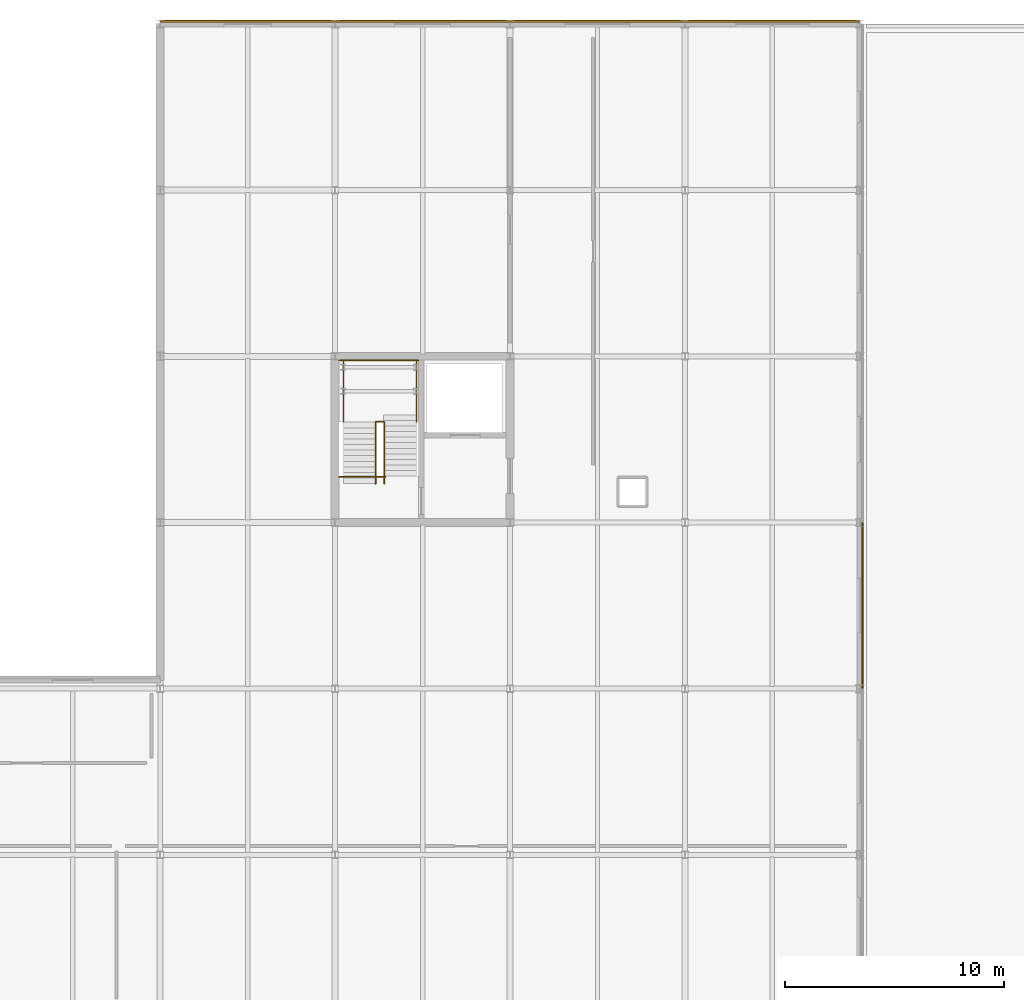
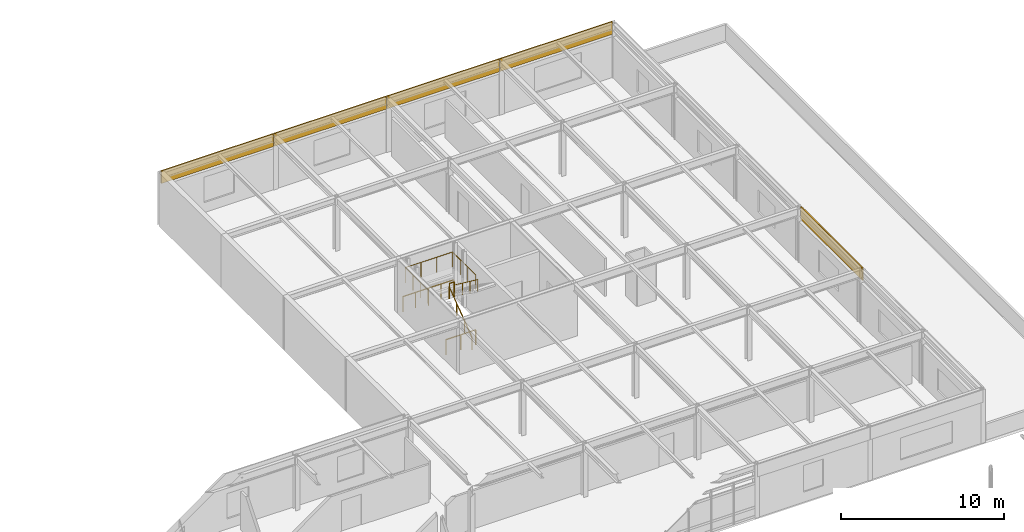
# One storey, part 84 of 85: 6 railings, 5 coverings.
"""IFC4 building model written with IfcOpenShell, lengths in metres."""

from ifc_helpers import new_model, si_unit, direction, frame, origin, origin_2d, place, context, subcontext, project, spatial, rectangle, circle, extrude, material, layer, layer_set, type_object, element, save


model = new_model("IFC4")

# Units and contexts
model_context = context("Model", 3, precision=1e-05, world=origin(), true_north=direction((0.0, 1.0)))
body_context = subcontext(model_context, "Body", "Model", "MODEL_VIEW")
ifc_project = project(units=[si_unit("LENGTHUNIT", "METRE"), si_unit("AREAUNIT", "SQUARE_METRE"), si_unit("VOLUMEUNIT", "CUBIC_METRE"), si_unit("PLANEANGLEUNIT", "RADIAN"), si_unit("MASSUNIT", "GRAM", prefix="KILO")], contexts=[model_context])

# Site, building, storey
site_placement = place(None, origin())
site = spatial("IfcSite", under=ifc_project, at=site_placement, CompositionType="ELEMENT")
building_placement = place(site_placement, origin())
building = spatial("IfcBuilding", under=site, at=building_placement, Name="Zulena Civic Courthouse", CompositionType="ELEMENT")
storey_placement = place(building_placement, frame((0.0, 0.0, 25.199951171875)))
storey = spatial("IfcBuildingStorey", under=building, at=storey_placement, Name="L05", CompositionType="ELEMENT", Elevation=25.199951171875)

# Railings
ifc_material_1 = material(Name="Brushed architectural steel ASTM A36", Category="steel")
railing_type_1 = type_object("IfcRailingType", Name="InteriorGuardrail_1150", PredefinedType="GUARDRAIL", material=ifc_material_1)
railing_1_placement = place(storey_placement, frame((76.199951171875, 75.81005859375, 0.0)))
element("IfcRailing", 1, at=railing_1_placement, inside=storey, type_object=railing_type_1, Name="gr:wellN:K5B:L04", PredefinedType="GUARDRAIL", context=body_context, shape_type="SweptSolid", body=[
    extrude(circle(Radius=0.02392578125, at=origin_2d()), frame((0.00390625, 0.0, 1.1259765625), z_axis=(1.0, 0.0, 0.0), x_axis=(0.0, 1.0, 0.0)), (0.0, 0.0, 1.0), 3.592041015625),
    extrude(circle(Radius=0.02099609375, at=origin_2d()), origin(), (0.0, 0.0, 1.0), 1.097900390625),
    extrude(circle(Radius=0.02099609375, at=origin_2d()), frame((0.89990234375, 0.0, 0.0)), (0.0, 0.0, 1.0), 1.097900390625),
    extrude(circle(Radius=0.02099609375, at=origin_2d()), frame((1.800048828125, 0.0, 0.0)), (0.0, 0.0, 1.0), 1.097900390625),
    extrude(circle(Radius=0.02099609375, at=origin_2d()), frame((2.7001953125, 0.0, 0.0)), (0.0, 0.0, 1.0), 1.097900390625),
    extrude(circle(Radius=0.02099609375, at=origin_2d()), frame((3.60009765625, 0.0, 0.0)), (0.0, 0.0, 1.0), 1.097900390625),
])
railing_2_placement = place(storey_placement, frame((76.179931640625, 70.5, 0.0)))
element("IfcRailing", 2, at=railing_2_placement, inside=storey, type_object=railing_type_1, Name="gr:wells:K5B:L05", PredefinedType="GUARDRAIL", context=body_context, shape_type="SweptSolid", body=[
    extrude(circle(Radius=0.02392578125, at=origin_2d()), frame((0.00390625, 0.0, 1.1259765625), z_axis=(1.0, 0.0, 0.0), x_axis=(0.0, 1.0, 0.0)), (0.0, 0.0, 1.0), 2.112060546875),
    extrude(circle(Radius=0.02099609375, at=origin_2d()), origin(), (0.0, 0.0, 1.0), 1.097900390625),
    extrude(circle(Radius=0.02099609375, at=origin_2d()), frame((1.06005859375, 0.0, 0.0)), (0.0, 0.0, 1.0), 1.097900390625),
    extrude(circle(Radius=0.02099609375, at=origin_2d()), frame((2.1201171875, 0.0, 0.0)), (0.0, 0.0, 1.0), 1.097900390625),
])
railing_3_placement = place(storey_placement, frame((76.3798828125, 72.984619140625, 2.10009765625)))
element("IfcRailing", 3, at=railing_3_placement, inside=storey, type_object=railing_type_1, Name="gr:lnd:K5B:L05", PredefinedType="GUARDRAIL", context=body_context, shape_type="SweptSolid", body=[
    extrude(circle(Radius=0.02392578125, at=origin_2d()), frame((0.0, 0.00390625, 1.1259765625), z_axis=(0.0, 1.0, 0.0), x_axis=(-1.0, 0.0, 0.0)), (0.0, 0.0, 1.0), 2.827392578125),
    extrude(circle(Radius=0.02392578125, at=origin_2d()), frame((0.00390625, 2.83544921875, 1.1259765625), z_axis=(1.0, 0.0, 0.0), x_axis=(0.0, 1.0, 0.0)), (0.0, 0.0, 1.0), 3.33203125),
    extrude(circle(Radius=0.02392578125, at=origin_2d()), frame((3.340087890625, 2.83154296875, 1.1259765625), z_axis=(0.0, -1.0, 0.0), x_axis=(1.0, 0.0, 0.0)), (0.0, 0.0, 1.0), 2.827392578125),
    extrude(circle(Radius=0.02099609375, at=origin_2d()), origin(), (0.0, 0.0, 1.0), 1.097900390625),
    extrude(circle(Radius=0.02099609375, at=origin_2d()), frame((0.0, 0.945068359375, 0.0)), (0.0, 0.0, 1.0), 1.097900390625),
    extrude(circle(Radius=0.02099609375, at=origin_2d()), frame((0.0, 1.890380859375, 0.0)), (0.0, 0.0, 1.0), 1.097900390625),
    extrude(circle(Radius=0.02099609375, at=origin_2d()), frame((0.0, 2.83544921875, 0.0)), (0.0, 0.0, 1.0), 1.097900390625),
    extrude(circle(Radius=0.02099609375, at=origin_2d()), frame((1.11328125, 2.83544921875, 0.0)), (0.0, 0.0, 1.0), 1.097900390625),
    extrude(circle(Radius=0.02099609375, at=origin_2d()), frame((2.226806640625, 2.83544921875, 0.0)), (0.0, 0.0, 1.0), 1.097900390625),
    extrude(circle(Radius=0.02099609375, at=origin_2d()), frame((3.340087890625, 2.83544921875, 0.0)), (0.0, 0.0, 1.0), 1.097900390625),
    extrude(circle(Radius=0.02099609375, at=origin_2d()), frame((3.340087890625, 1.890380859375, 0.0)), (0.0, 0.0, 1.0), 1.097900390625),
    extrude(circle(Radius=0.02099609375, at=origin_2d()), frame((3.340087890625, 0.945068359375, 0.0)), (0.0, 0.0, 1.0), 1.097900390625),
    extrude(circle(Radius=0.02099609375, at=origin_2d()), frame((3.340087890625, 0.0, 0.0)), (0.0, 0.0, 1.0), 1.097900390625),
])
railing_4_placement = place(storey_placement, frame((77.8798828125, 73.0048828125, 2.10009765625)))
element("IfcRailing", 4, at=railing_4_placement, inside=storey, type_object=railing_type_1, Name="gr:lndslot:K5B:L05", PredefinedType="GUARDRAIL", context=body_context, shape_type="SweptSolid", body=[
    extrude(circle(Radius=0.02392578125, at=origin_2d()), frame((0.00390625, 0.0, 1.1259765625), z_axis=(1.0, 0.0, 0.0), x_axis=(0.0, 1.0, 0.0)), (0.0, 0.0, 1.0), 0.33203125),
    extrude(circle(Radius=0.02099609375, at=origin_2d()), origin(), (0.0, 0.0, 1.0), 1.097900390625),
    extrude(circle(Radius=0.02099609375, at=origin_2d()), frame((0.340087890625, 0.0, 0.0)), (0.0, 0.0, 1.0), 1.097900390625),
])

# Coverings
ifc_material_2 = material(Name="White architectural precast concrete C40/50", Category="concrete")
ifc_layer = layer(ifc_material_2, 0.0849609375)
ifc_layer_set = layer_set([ifc_layer], Name="White architectural precast concrete C40/50")
covering_type = type_object("IfcCoveringType", Name="PrecastSpandrelCladding_85", PredefinedType="CLADDING", material=ifc_layer_set)
for number, where, z_axis, x_axis, name in (
    (5, (72.0, 91.320068359375, 3.06005859375), (0.0, 0.0, 1.0), (1.0, 0.0, 0.0), "clad:sp:V5:L05:3:0"),
    (6, (80.0, 91.320068359375, 3.06005859375), (0.0, 0.0, 1.0), (1.0, 0.0, 0.0), "clad:sp:V5:L05:3:1"),
    (7, (88.0, 91.320068359375, 3.06005859375), (0.0, 0.0, 1.0), (1.0, 0.0, 0.0), "clad:sp:V5:L05:3:2"),
    (8, (96.0, 91.320068359375, 3.06005859375), (0.0, 0.0, 1.0), (1.0, 0.0, 0.0), "clad:sp:V5:L05:3:3"),
):
    element("IfcCovering", number, at=place(storey_placement, frame(where, z_axis=z_axis, x_axis=x_axis)), inside=storey, type_object=covering_type, Name=name, PredefinedType="CLADDING", context=body_context, shape_type="SweptSolid", body=[
        extrude(rectangle(XDim=7.9599609375, YDim=0.0849609375, at=origin_2d()), origin(), (0.0, 0.0, 1.0), 0.93994140625),
    ])
covering_placement = place(storey_placement, frame((100.1201171875, 64.60009765625, 3.06005859375), z_axis=(0.0, 0.0, 1.0), x_axis=(0.0, -1.0, 0.0)))
element("IfcCovering", 9, at=covering_placement, inside=storey, type_object=covering_type, Name="clad:sp:V5:L05:4:3", PredefinedType="CLADDING", context=body_context, shape_type="SweptSolid", body=[
    extrude(rectangle(XDim=7.56005859375, YDim=0.0849609375, at=origin_2d()), origin(), (0.0, 0.0, 1.0), 0.93994140625),
])

# Railings
railing_type_2 = type_object("IfcRailingType", Name="StairHandrail_920", PredefinedType="HANDRAIL", material=ifc_material_1)
railing_5_placement = place(storey_placement, frame((77.85009765625, 70.179931640625, 0.0)))
element("IfcRailing", 10, at=railing_5_placement, inside=storey, type_object=railing_type_2, Name="hr:K5B:L05:1", PredefinedType="HANDRAIL", context=body_context, shape_type="SweptSolid", body=[
    extrude(circle(Radius=0.02392578125, at=origin_2d()), frame((0.0, 0.003173828125, 0.898193359375), z_axis=(0.0, 0.800467996722, 0.599375496849), x_axis=(-1.0, 0.0, 0.0)), (0.0, 0.0, 1.0), 3.495849609375),
    extrude(circle(Radius=0.02099609375, at=origin_2d()), origin(), (0.0, 0.0, 1.0), 0.867919921875),
    extrude(circle(Radius=0.02099609375, at=origin_2d()), frame((0.0, 0.934814453125, 0.699951171875)), (0.0, 0.0, 1.0), 0.867919921875),
    extrude(circle(Radius=0.02099609375, at=origin_2d()), frame((0.0, 1.869873046875, 1.400146484375)), (0.0, 0.0, 1.0), 0.867919921875),
    extrude(circle(Radius=0.02099609375, at=origin_2d()), frame((0.0, 2.8046875, 2.10009765625)), (0.0, 0.0, 1.0), 0.867919921875),
])
railing_6_placement = place(storey_placement, frame((78.25, 72.984619140625, 2.10009765625)))
element("IfcRailing", 11, at=railing_6_placement, inside=storey, type_object=railing_type_2, Name="hr:K5B:L05:2", PredefinedType="HANDRAIL", context=body_context, shape_type="SweptSolid", body=[
    extrude(circle(Radius=0.02392578125, at=origin_2d()), frame((0.0, -0.003173828125, 0.898193359375), z_axis=(0.0, -0.800501427345, 0.599330847545), x_axis=(1.0, 0.0, 0.0)), (0.0, 0.0, 1.0), 3.49560546875),
    extrude(circle(Radius=0.02099609375, at=origin_2d()), origin(), (0.0, 0.0, 1.0), 0.867919921875),
    extrude(circle(Radius=0.02099609375, at=origin_2d()), frame((0.0, -0.934814453125, 0.699951171875)), (0.0, 0.0, 1.0), 0.867919921875),
    extrude(circle(Radius=0.02099609375, at=origin_2d()), frame((0.0, -1.869873046875, 1.39990234375)), (0.0, 0.0, 1.0), 0.867919921875),
    extrude(circle(Radius=0.02099609375, at=origin_2d()), frame((0.0, -2.8046875, 2.099853515625)), (0.0, 0.0, 1.0), 0.867919921875),
])

save(model, "model.ifc")
